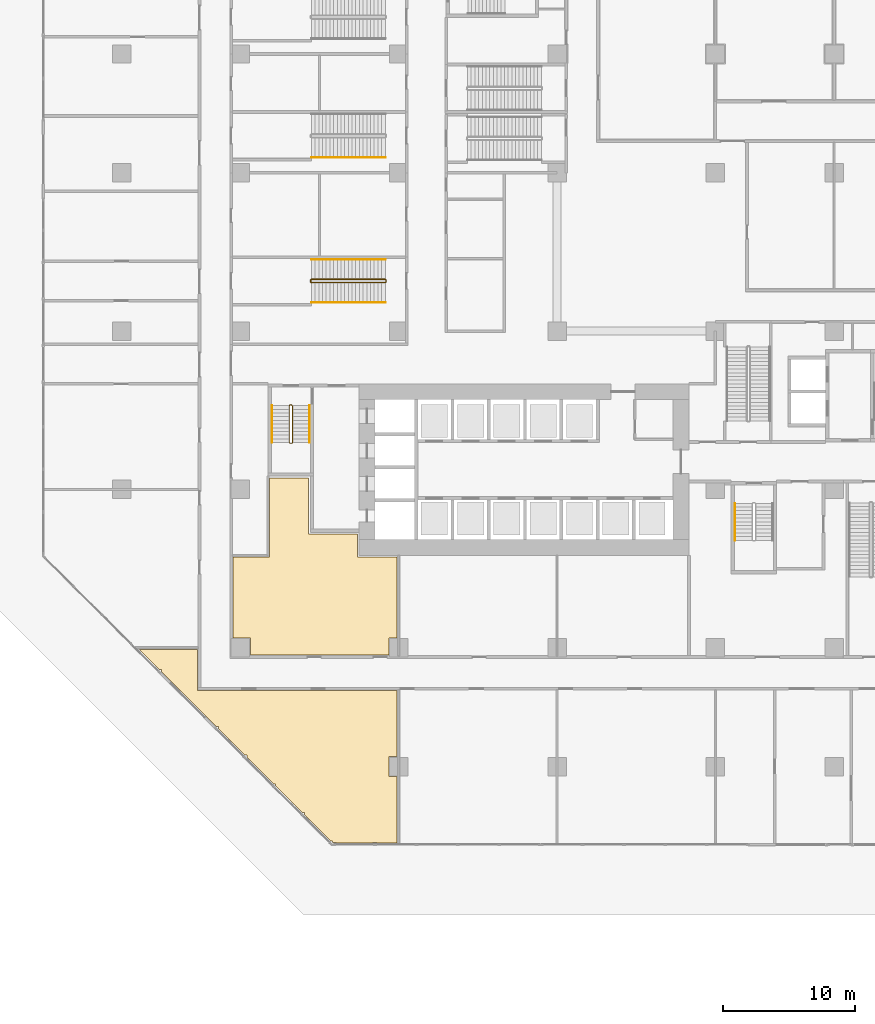
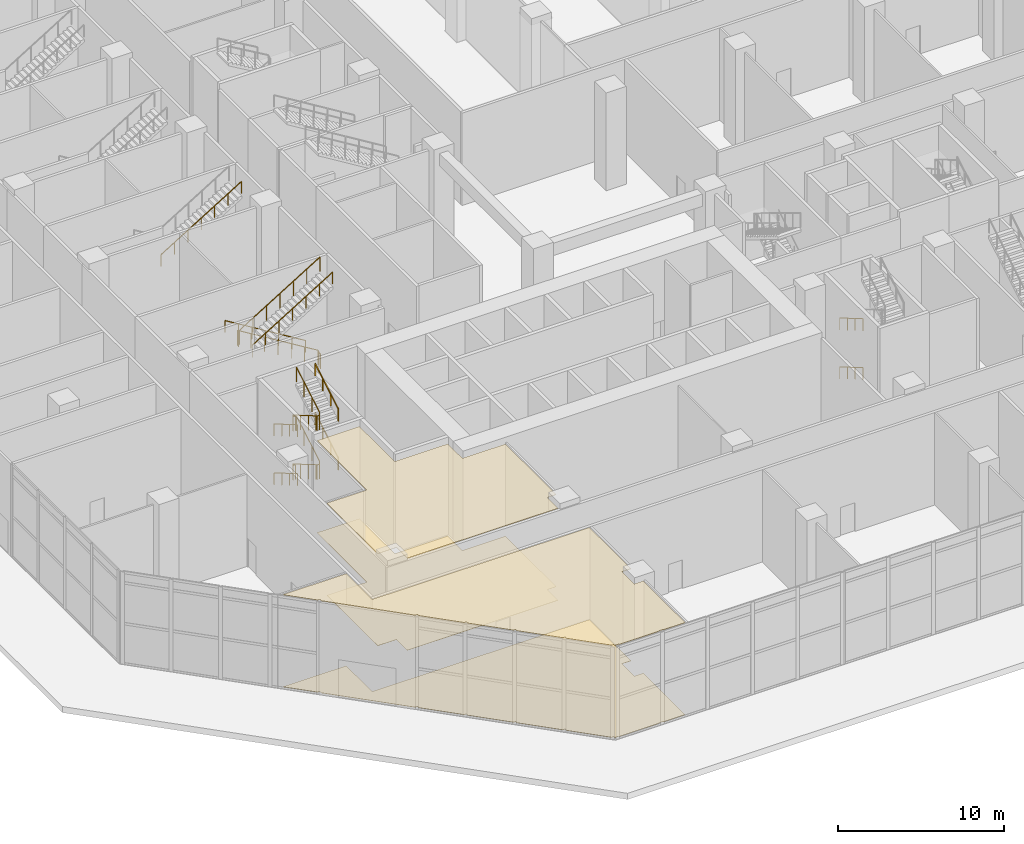
# One storey, part 29 of 34: 11 railings, 4 coverings.
"""IFC4 building model written with IfcOpenShell, lengths in metres."""

from ifc_helpers import new_model, si_unit, direction, frame, origin, origin_2d, place, context, subcontext, project, spatial, polyline, rectangle, outline, extrude, material, layer, layer_set, type_object, element, save


model = new_model("IFC4")

# Units and contexts
model_context = context("Model", 3, precision=1e-05, world=origin(), true_north=direction((0.0, 1.0)))
body_context = subcontext(model_context, "Body", "Model", "MODEL_VIEW")
ifc_project = project(units=[si_unit("LENGTHUNIT", "METRE"), si_unit("AREAUNIT", "SQUARE_METRE"), si_unit("VOLUMEUNIT", "CUBIC_METRE"), si_unit("PLANEANGLEUNIT", "RADIAN"), si_unit("MASSUNIT", "GRAM", prefix="KILO")], contexts=[model_context])

# Site, building, storey
site_placement = place(None, origin())
site = spatial("IfcSite", under=ifc_project, at=site_placement, CompositionType="ELEMENT")
building_placement = place(site_placement, origin())
building = spatial("IfcBuilding", under=site, at=building_placement, Name="Chenar Terraces", CompositionType="ELEMENT")
storey_placement = place(building_placement, origin())
storey = spatial("IfcBuildingStorey", under=building, at=storey_placement, Name="L00", CompositionType="ELEMENT", Elevation=0.0)

# Coverings
ifc_material_1 = material(Name="Mineral fibre acoustic ceiling board")
ifc_layer_1 = layer(ifc_material_1, 0.030029296875)
ifc_layer_set_1 = layer_set([ifc_layer_1], Name="Mineral fibre acoustic ceiling board")
covering_type_1 = type_object("IfcCoveringType", Name="Acoustic board ceiling 30", PredefinedType="CEILING", material=ifc_layer_set_1)
placement_1 = place(storey_placement, frame((0.0, 0.0, 6.77001953125)))
element("IfcCovering", 1, at=placement_1, inside=storey, type_object=covering_type_1, Name="Acoustic ceiling", PredefinedType="CEILING", context=body_context, shape_type="SweptSolid", body=[
    extrude(outline(polyline([(8.875, 6.875), (11.875, 6.875), (11.875, 0.75), (11.25, 0.75), (11.25, -0.550048828125), (0.75, -0.550048828125), (0.75, 0.75), (-0.550048828125, 0.75), (-0.550048828125, 6.875), (2.22509765625, 6.875), (2.22509765625, 12.875), (5.175048828125, 12.875), (5.175048828125, 8.625), (8.875, 8.625), (8.875, 6.875)])), origin(), (0.0, 0.0, 1.0), 0.030029296875),
])
element("IfcCovering", 2, at=placement_1, inside=storey, type_object=covering_type_1, Name="Acoustic ceiling", PredefinedType="CEILING", context=body_context, shape_type="SweptSolid", body=[
    extrude(outline(polyline([(-3.25, -0.125), (-3.25, -3.25), (11.875, -3.25), (11.875, -8.25), (11.25, -8.25), (11.25, -9.75), (11.875, -9.75), (11.875, -14.784912109375), (10.37353515625, -14.784912109375), (10.37353515625, -14.75), (10.0234375, -14.75), (10.0234375, -14.784912109375), (7.273193359375, -14.784912109375), (7.273193359375, -14.75), (7.001708984375, -14.75), (7.001708984375, -14.6376953125), (6.849853515625, -14.6376953125), (4.8505859375, -12.638427734375), (4.8505859375, -12.486328125), (4.698486328125, -12.486328125), (2.671142578125, -10.458984375), (2.671142578125, -10.306884765625), (2.51904296875, -10.306884765625), (0.49169921875, -8.279541015625), (0.49169921875, -8.12744140625), (0.339599609375, -8.12744140625), (-1.659423828125, -6.12841796875), (-1.659423828125, -5.976318359375), (-1.832763671875, -5.976318359375), (-5.976318359375, -1.832763671875), (-5.976318359375, -1.659423828125), (-6.12841796875, -1.659423828125), (-7.662841796875, -0.125), (-3.25, -0.125)])), origin(), (0.0, 0.0, 1.0), 0.030029296875),
])
ifc_material_2 = material(Name="Honed limestone floor finish", Category="masonry")
ifc_layer_2 = layer(ifc_material_2, 0.02001953125)
ifc_layer_set_2 = layer_set([ifc_layer_2], Name="Honed limestone floor finish")
covering_type_2 = type_object("IfcCoveringType", Name="Limestone floor finish 20", PredefinedType="FLOORING", material=ifc_layer_set_2)
placement_2 = place(storey_placement, origin())
element("IfcCovering", 3, at=placement_2, inside=storey, type_object=covering_type_2, Name="Limestone floor finish", PredefinedType="FLOORING", context=body_context, shape_type="SweptSolid", body=[
    extrude(outline(polyline([(8.875, 6.875), (11.875, 6.875), (11.875, 0.75), (11.25, 0.75), (11.25, -0.550048828125), (0.75, -0.550048828125), (0.75, 0.75), (-0.550048828125, 0.75), (-0.550048828125, 6.875), (2.22509765625, 6.875), (2.22509765625, 12.875), (5.175048828125, 12.875), (5.175048828125, 8.625), (8.875, 8.625), (8.875, 6.875)])), origin(), (0.0, 0.0, 1.0), 0.02001953125),
])
element("IfcCovering", 4, at=placement_2, inside=storey, type_object=covering_type_2, Name="Limestone floor finish", PredefinedType="FLOORING", context=body_context, shape_type="SweptSolid", body=[
    extrude(outline(polyline([(-3.25, -0.125), (-3.25, -3.25), (11.875, -3.25), (11.875, -8.25), (11.25, -8.25), (11.25, -9.75), (11.875, -9.75), (11.875, -14.784912109375), (10.37353515625, -14.784912109375), (10.37353515625, -14.75), (10.0234375, -14.75), (10.0234375, -14.784912109375), (7.273193359375, -14.784912109375), (7.273193359375, -14.75), (7.001708984375, -14.75), (7.001708984375, -14.6376953125), (6.849853515625, -14.6376953125), (4.8505859375, -12.638427734375), (4.8505859375, -12.486328125), (4.698486328125, -12.486328125), (2.671142578125, -10.458984375), (2.671142578125, -10.306884765625), (2.51904296875, -10.306884765625), (0.49169921875, -8.279541015625), (0.49169921875, -8.12744140625), (0.339599609375, -8.12744140625), (-1.659423828125, -6.12841796875), (-1.659423828125, -5.976318359375), (-1.832763671875, -5.976318359375), (-5.976318359375, -1.832763671875), (-5.976318359375, -1.659423828125), (-6.12841796875, -1.659423828125), (-7.662841796875, -0.125), (-3.25, -0.125)])), origin(), (0.0, 0.0, 1.0), 0.02001953125),
])

# Railings
ifc_material_3 = material(Name="Powder-coated steel", Category="steel")
railing_type_1 = type_object("IfcRailingType", Name="Stair guard 1100", PredefinedType="GUARDRAIL", material=ifc_material_3)
railing_1_placement = place(storey_placement, frame((3.949951171875, 18.35009765625, 7.199951171875)))
element("IfcRailing", 5, at=railing_1_placement, inside=storey, type_object=railing_type_1, Name="L00 ST1 stair guard 1", PredefinedType="GUARDRAIL", context=body_context, shape_type="SweptSolid", body=[
    extrude(rectangle(XDim=0.048095703125, YDim=0.048095703125, at=origin_2d()), frame((0.0, 0.0, 1.076171875), z_axis=(0.0, -0.863393664356, -0.504530851732), x_axis=(1.0, 0.0, 0.0)), (0.0, 0.0, 1.0), 3.2431640625),
    extrude(rectangle(XDim=0.048095703125, YDim=0.048095703125, at=origin_2d()), frame((0.0, -2.800048828125, -0.56005859375), z_axis=(-0.280456126637, -0.280456126637, -0.917980785237), x_axis=(0.707106781187, -0.707106781187, 0.0)), (0.0, 0.0, 1.0), 0.178466796875),
    extrude(rectangle(XDim=0.048095703125, YDim=0.048095703125, at=origin_2d()), frame((-0.050048828125, -2.85009765625, -0.72412109375), z_axis=(-1.0, 0.0, 0.0), x_axis=(0.0, -1.0, 0.0)), (0.0, 0.0, 1.0), 0.14990234375),
    extrude(rectangle(XDim=0.048095703125, YDim=0.048095703125, at=origin_2d()), frame((-0.199951171875, -2.85009765625, -0.72412109375), z_axis=(-0.707106781187, 0.707106781187, 0.0), x_axis=(-0.707106781187, -0.707106781187, 0.0)), (0.0, 0.0, 1.0), 0.07080078125),
    extrude(rectangle(XDim=0.048095703125, YDim=0.048095703125, at=origin_2d()), frame((-0.25, -2.800048828125, -0.72412109375), z_axis=(0.0, 0.863393664356, -0.504530851732), x_axis=(-1.0, 0.0, 0.0)), (0.0, 0.0, 1.0), 3.2431640625),
    extrude(rectangle(XDim=0.048095703125, YDim=0.048095703125, at=origin_2d()), frame((-0.25, 0.0, -2.3603515625), z_axis=(0.760004195007, 0.189305074214, -0.621737253547), x_axis=(-0.241699205484, 0.970351222016, 0.0)), (0.0, 0.0, 1.0), 0.26318359375),
    extrude(rectangle(XDim=0.048095703125, YDim=0.048095703125, at=origin_2d()), frame((-0.050048828125, 0.0498046875, -2.52392578125), z_axis=(-1.0, 0.0, 0.0), x_axis=(0.0, -1.0, 0.0)), (0.0, 0.0, 1.0), 0.14990234375),
    extrude(rectangle(XDim=0.048095703125, YDim=0.048095703125, at=origin_2d()), frame((-0.199951171875, 0.0498046875, -2.52392578125), z_axis=(0.970351222016, -0.241699205484, 0.0), x_axis=(0.241699205484, 0.970351222016, 0.0)), (0.0, 0.0, 1.0), 0.2060546875),
    extrude(rectangle(XDim=0.048095703125, YDim=0.048095703125, at=origin_2d()), frame((0.0, 0.0, -2.52392578125), z_axis=(0.0, -0.863360870873, -0.504586966384), x_axis=(1.0, 0.0, 0.0)), (0.0, 0.0, 1.0), 3.2431640625),
    extrude(rectangle(XDim=0.048095703125, YDim=0.048095703125, at=origin_2d()), frame((0.0, -2.800048828125, -4.16015625), z_axis=(-0.280808744504, -0.280808744504, -0.917765164963), x_axis=(0.707106781187, -0.707106781187, 0.0)), (0.0, 0.0, 1.0), 0.17822265625),
    extrude(rectangle(XDim=0.048095703125, YDim=0.048095703125, at=origin_2d()), frame((-0.050048828125, -2.85009765625, -4.32373046875), z_axis=(-1.0, 0.0, 0.0), x_axis=(0.0, -1.0, 0.0)), (0.0, 0.0, 1.0), 0.14990234375),
    extrude(rectangle(XDim=0.048095703125, YDim=0.048095703125, at=origin_2d()), frame((-0.199951171875, -2.85009765625, -4.32373046875), z_axis=(-0.707106781187, 0.707106781187, 0.0), x_axis=(-0.707106781187, -0.707106781187, 0.0)), (0.0, 0.0, 1.0), 0.07080078125),
    extrude(rectangle(XDim=0.048095703125, YDim=0.048095703125, at=origin_2d()), frame((-0.25, -2.800048828125, -4.32373046875), z_axis=(0.0, 0.863360870873, -0.504586966384), x_axis=(-1.0, 0.0, 0.0)), (0.0, 0.0, 1.0), 3.2431640625),
    extrude(rectangle(XDim=0.048095703125, YDim=0.048095703125, at=origin_2d()), frame((-0.25, 0.0, -5.96044921875), z_axis=(0.280916556609, 0.279546231943, -0.91811752648), x_axis=(-0.705375805398, 0.708833529934, 0.0)), (0.0, 0.0, 1.0), 0.17822265625),
    extrude(rectangle(XDim=0.048095703125, YDim=0.048095703125, at=origin_2d()), frame((-0.199951171875, 0.0498046875, -6.1240234375), z_axis=(1.0, 0.0, 0.0), x_axis=(0.0, 1.0, 0.0)), (0.0, 0.0, 1.0), 0.14990234375),
    extrude(rectangle(XDim=0.0419921875, YDim=0.0419921875, at=origin_2d()), origin(), (0.0, 0.0, 1.0), 1.052001953125),
    extrude(rectangle(XDim=0.0419921875, YDim=0.0419921875, at=origin_2d()), frame((0.0, -0.933349609375, -0.54541015625)), (0.0, 0.0, 1.0), 1.052001953125),
    extrude(rectangle(XDim=0.0419921875, YDim=0.0419921875, at=origin_2d()), frame((0.0, -1.86669921875, -1.0908203125)), (0.0, 0.0, 1.0), 1.052001953125),
    extrude(rectangle(XDim=0.0419921875, YDim=0.0419921875, at=origin_2d()), frame((0.0, -2.800048828125, -1.63623046875)), (0.0, 0.0, 1.0), 1.052001953125),
    extrude(rectangle(XDim=0.0419921875, YDim=0.0419921875, at=origin_2d()), frame((-0.050048828125, -2.85009765625, -1.800048828125)), (0.0, 0.0, 1.0), 1.052001953125),
    extrude(rectangle(XDim=0.0419921875, YDim=0.0419921875, at=origin_2d()), frame((-0.199951171875, -2.85009765625, -1.800048828125)), (0.0, 0.0, 1.0), 1.052001953125),
    extrude(rectangle(XDim=0.0419921875, YDim=0.0419921875, at=origin_2d()), frame((-0.25, -2.800048828125, -1.800048828125)), (0.0, 0.0, 1.0), 1.052001953125),
    extrude(rectangle(XDim=0.0419921875, YDim=0.0419921875, at=origin_2d()), frame((-0.25, -1.86669921875, -2.345458984375)), (0.0, 0.0, 1.0), 1.052001953125),
    extrude(rectangle(XDim=0.0419921875, YDim=0.0419921875, at=origin_2d()), frame((-0.25, -0.933349609375, -2.890869140625)), (0.0, 0.0, 1.0), 1.052001953125),
    extrude(rectangle(XDim=0.0419921875, YDim=0.0419921875, at=origin_2d()), frame((-0.25, 0.0, -3.436279296875)), (0.0, 0.0, 1.0), 1.052001953125),
    extrude(rectangle(XDim=0.0419921875, YDim=0.0419921875, at=origin_2d()), frame((-0.050048828125, 0.0498046875, -3.599853515625)), (0.0, 0.0, 1.0), 1.052001953125),
    extrude(rectangle(XDim=0.0419921875, YDim=0.0419921875, at=origin_2d()), frame((-0.199951171875, 0.0498046875, -3.599853515625)), (0.0, 0.0, 1.0), 1.052001953125),
    extrude(rectangle(XDim=0.0419921875, YDim=0.0419921875, at=origin_2d()), frame((0.0, 0.0, -3.599853515625)), (0.0, 0.0, 1.0), 1.052001953125),
    extrude(rectangle(XDim=0.0419921875, YDim=0.0419921875, at=origin_2d()), frame((0.0, -0.933349609375, -4.145263671875)), (0.0, 0.0, 1.0), 1.052001953125),
    extrude(rectangle(XDim=0.0419921875, YDim=0.0419921875, at=origin_2d()), frame((0.0, -1.86669921875, -4.69091796875)), (0.0, 0.0, 1.0), 1.052001953125),
    extrude(rectangle(XDim=0.0419921875, YDim=0.0419921875, at=origin_2d()), frame((0.0, -2.800048828125, -5.236328125)), (0.0, 0.0, 1.0), 1.052001953125),
    extrude(rectangle(XDim=0.0419921875, YDim=0.0419921875, at=origin_2d()), frame((-0.050048828125, -2.85009765625, -5.39990234375)), (0.0, 0.0, 1.0), 1.052001953125),
    extrude(rectangle(XDim=0.0419921875, YDim=0.0419921875, at=origin_2d()), frame((-0.199951171875, -2.85009765625, -5.39990234375)), (0.0, 0.0, 1.0), 1.052001953125),
    extrude(rectangle(XDim=0.0419921875, YDim=0.0419921875, at=origin_2d()), frame((-0.25, -2.800048828125, -5.39990234375)), (0.0, 0.0, 1.0), 1.052001953125),
    extrude(rectangle(XDim=0.0419921875, YDim=0.0419921875, at=origin_2d()), frame((-0.25, -1.86669921875, -5.9453125)), (0.0, 0.0, 1.0), 1.052001953125),
    extrude(rectangle(XDim=0.0419921875, YDim=0.0419921875, at=origin_2d()), frame((-0.25, -0.933349609375, -6.490966796875)), (0.0, 0.0, 1.0), 1.052001953125),
    extrude(rectangle(XDim=0.0419921875, YDim=0.0419921875, at=origin_2d()), frame((-0.25, 0.0, -7.036376953125)), (0.0, 0.0, 1.0), 1.052001953125),
    extrude(rectangle(XDim=0.0419921875, YDim=0.0419921875, at=origin_2d()), frame((-0.199951171875, 0.0498046875, -7.199951171875)), (0.0, 0.0, 1.0), 1.052001953125),
    extrude(rectangle(XDim=0.0419921875, YDim=0.0419921875, at=origin_2d()), frame((-0.050048828125, 0.0498046875, -7.199951171875)), (0.0, 0.0, 1.0), 1.052001953125),
])
railing_2_placement = place(storey_placement, frame((10.985107421875, 27.675048828125, 7.199951171875)))
element("IfcRailing", 6, at=railing_2_placement, inside=storey, type_object=railing_type_1, Name="L00 PS5 stair guard 1", PredefinedType="GUARDRAIL", context=body_context, shape_type="SweptSolid", body=[
    extrude(rectangle(XDim=0.048095703125, YDim=0.048095703125, at=origin_2d()), frame((0.0, 0.0, 1.076171875), z_axis=(-0.852862454864, 0.0, -0.522135646249), x_axis=(0.0, -1.0, 0.0)), (0.0, 0.0, 1.0), 6.566162109375),
    extrude(rectangle(XDim=0.048095703125, YDim=0.048095703125, at=origin_2d()), frame((-5.60009765625, 0.0, -2.3525390625), z_axis=(-0.269911200495, 0.269911200495, -0.924281281696), x_axis=(-0.707106781187, -0.707106781187, 0.0)), (0.0, 0.0, 1.0), 0.185546875),
    extrude(rectangle(XDim=0.048095703125, YDim=0.048095703125, at=origin_2d()), frame((-5.650146484375, 0.050048828125, -2.52392578125), z_axis=(0.0, 1.0, 0.0), x_axis=(-1.0, 0.0, 0.0)), (0.0, 0.0, 1.0), 0.14990234375),
    extrude(rectangle(XDim=0.048095703125, YDim=0.048095703125, at=origin_2d()), frame((-5.650146484375, 0.199951171875, -2.52392578125), z_axis=(0.707106781187, 0.707106781187, 0.0), x_axis=(-0.707106781187, 0.707106781187, 0.0)), (0.0, 0.0, 1.0), 0.07080078125),
    extrude(rectangle(XDim=0.048095703125, YDim=0.048095703125, at=origin_2d()), frame((-5.60009765625, 0.25, -2.52392578125), z_axis=(0.852845897599, 0.0, -0.522162690116), x_axis=(0.0, 1.0, 0.0)), (0.0, 0.0, 1.0), 6.56640625),
    extrude(rectangle(XDim=0.048095703125, YDim=0.048095703125, at=origin_2d()), frame((0.0, 0.25, -5.95263671875), z_axis=(0.268689830376, -0.270006937388, -0.924609122178), x_axis=(0.708833529934, 0.705375805398, 0.0)), (0.0, 0.0, 1.0), 0.185302734375),
    extrude(rectangle(XDim=0.048095703125, YDim=0.048095703125, at=origin_2d()), frame((0.0498046875, 0.199951171875, -6.1240234375), z_axis=(0.0, -1.0, 0.0), x_axis=(1.0, 0.0, 0.0)), (0.0, 0.0, 1.0), 0.14990234375),
    extrude(rectangle(XDim=0.0419921875, YDim=0.0419921875, at=origin_2d()), origin(), (0.0, 0.0, 1.0), 1.052001953125),
    extrude(rectangle(XDim=0.0419921875, YDim=0.0419921875, at=origin_2d()), frame((-0.933349609375, 0.0, -0.5712890625)), (0.0, 0.0, 1.0), 1.052001953125),
    extrude(rectangle(XDim=0.0419921875, YDim=0.0419921875, at=origin_2d()), frame((-1.86669921875, 0.0, -1.142822265625)), (0.0, 0.0, 1.0), 1.052001953125),
    extrude(rectangle(XDim=0.0419921875, YDim=0.0419921875, at=origin_2d()), frame((-2.800048828125, 0.0, -1.71435546875)), (0.0, 0.0, 1.0), 1.052001953125),
    extrude(rectangle(XDim=0.0419921875, YDim=0.0419921875, at=origin_2d()), frame((-3.7333984375, 0.0, -2.28564453125)), (0.0, 0.0, 1.0), 1.052001953125),
    extrude(rectangle(XDim=0.0419921875, YDim=0.0419921875, at=origin_2d()), frame((-4.666748046875, 0.0, -2.85693359375)), (0.0, 0.0, 1.0), 1.052001953125),
    extrude(rectangle(XDim=0.0419921875, YDim=0.0419921875, at=origin_2d()), frame((-5.60009765625, 0.0, -3.428466796875)), (0.0, 0.0, 1.0), 1.052001953125),
    extrude(rectangle(XDim=0.0419921875, YDim=0.0419921875, at=origin_2d()), frame((-5.650146484375, 0.050048828125, -3.599853515625)), (0.0, 0.0, 1.0), 1.052001953125),
    extrude(rectangle(XDim=0.0419921875, YDim=0.0419921875, at=origin_2d()), frame((-5.650146484375, 0.199951171875, -3.599853515625)), (0.0, 0.0, 1.0), 1.052001953125),
    extrude(rectangle(XDim=0.0419921875, YDim=0.0419921875, at=origin_2d()), frame((-5.60009765625, 0.25, -3.599853515625)), (0.0, 0.0, 1.0), 1.052001953125),
    extrude(rectangle(XDim=0.0419921875, YDim=0.0419921875, at=origin_2d()), frame((-4.666748046875, 0.25, -4.17138671875)), (0.0, 0.0, 1.0), 1.052001953125),
    extrude(rectangle(XDim=0.0419921875, YDim=0.0419921875, at=origin_2d()), frame((-3.7333984375, 0.25, -4.74267578125)), (0.0, 0.0, 1.0), 1.052001953125),
    extrude(rectangle(XDim=0.0419921875, YDim=0.0419921875, at=origin_2d()), frame((-2.800048828125, 0.25, -5.314208984375)), (0.0, 0.0, 1.0), 1.052001953125),
    extrude(rectangle(XDim=0.0419921875, YDim=0.0419921875, at=origin_2d()), frame((-1.86669921875, 0.25, -5.8857421875)), (0.0, 0.0, 1.0), 1.052001953125),
    extrude(rectangle(XDim=0.0419921875, YDim=0.0419921875, at=origin_2d()), frame((-0.933349609375, 0.25, -6.45703125)), (0.0, 0.0, 1.0), 1.052001953125),
    extrude(rectangle(XDim=0.0419921875, YDim=0.0419921875, at=origin_2d()), frame((0.0, 0.25, -7.028564453125)), (0.0, 0.0, 1.0), 1.052001953125),
    extrude(rectangle(XDim=0.0419921875, YDim=0.0419921875, at=origin_2d()), frame((0.0498046875, 0.199951171875, -7.199951171875)), (0.0, 0.0, 1.0), 1.052001953125),
    extrude(rectangle(XDim=0.0419921875, YDim=0.0419921875, at=origin_2d()), frame((0.0498046875, 0.050048828125, -7.199951171875)), (0.0, 0.0, 1.0), 1.052001953125),
])
ifc_material_4 = material(Name="Powder-coated steel", Category="steel")
railing_type_2 = type_object("IfcRailingType", Name="Stair handrail 900", PredefinedType="HANDRAIL", material=ifc_material_4)
railing_3_placement = place(storey_placement, frame((2.39990234375, 18.35009765625, 0.16357421875)))
element("IfcRailing", 7, at=railing_3_placement, inside=storey, type_object=railing_type_2, Name="L00 ST1 stair handrail 1", PredefinedType="HANDRAIL", context=body_context, shape_type="SweptSolid", body=[
    extrude(rectangle(XDim=0.048095703125, YDim=0.048095703125, at=origin_2d()), frame((0.0, 0.0, 0.8759765625), z_axis=(0.0, -0.863360870873, 0.504586966384), x_axis=(1.0, 0.0, 0.0)), (0.0, 0.0, 1.0), 3.2431640625),
    extrude(rectangle(XDim=0.0419921875, YDim=0.0419921875, at=origin_2d()), origin(), (0.0, 0.0, 1.0), 0.851806640625),
    extrude(rectangle(XDim=0.0419921875, YDim=0.0419921875, at=origin_2d()), frame((0.0, -0.933349609375, 0.54541015625)), (0.0, 0.0, 1.0), 0.851806640625),
    extrude(rectangle(XDim=0.0419921875, YDim=0.0419921875, at=origin_2d()), frame((0.0, -1.86669921875, 1.091064453125)), (0.0, 0.0, 1.0), 0.851806640625),
    extrude(rectangle(XDim=0.0419921875, YDim=0.0419921875, at=origin_2d()), frame((0.0, -2.800048828125, 1.636474609375)), (0.0, 0.0, 1.0), 0.851806640625),
])
railing_4_placement = place(storey_placement, frame((5.25, 15.550048828125, 1.963623046875)))
element("IfcRailing", 8, at=railing_4_placement, inside=storey, type_object=railing_type_2, Name="L00 ST1 stair handrail 2", PredefinedType="HANDRAIL", context=body_context, shape_type="SweptSolid", body=[
    extrude(rectangle(XDim=0.048095703125, YDim=0.048095703125, at=origin_2d()), frame((0.0, 0.0, 0.8759765625), z_axis=(0.0, 0.863360870873, 0.504586966384), x_axis=(-1.0, 0.0, 0.0)), (0.0, 0.0, 1.0), 3.2431640625),
    extrude(rectangle(XDim=0.0419921875, YDim=0.0419921875, at=origin_2d()), origin(), (0.0, 0.0, 1.0), 0.851806640625),
    extrude(rectangle(XDim=0.0419921875, YDim=0.0419921875, at=origin_2d()), frame((0.0, 0.933349609375, 0.54541015625)), (0.0, 0.0, 1.0), 0.851806640625),
    extrude(rectangle(XDim=0.0419921875, YDim=0.0419921875, at=origin_2d()), frame((0.0, 1.86669921875, 1.091064453125)), (0.0, 0.0, 1.0), 0.851806640625),
    extrude(rectangle(XDim=0.0419921875, YDim=0.0419921875, at=origin_2d()), frame((0.0, 2.800048828125, 1.636474609375)), (0.0, 0.0, 1.0), 0.851806640625),
])
railing_5_placement = place(storey_placement, frame((2.39990234375, 18.35009765625, 3.763671875)))
element("IfcRailing", 9, at=railing_5_placement, inside=storey, type_object=railing_type_2, Name="L00 ST1 stair handrail 3", PredefinedType="HANDRAIL", context=body_context, shape_type="SweptSolid", body=[
    extrude(rectangle(XDim=0.048095703125, YDim=0.048095703125, at=origin_2d()), frame((0.0, 0.0, 0.8759765625), z_axis=(0.0, -0.863393664356, 0.504530851732), x_axis=(1.0, 0.0, 0.0)), (0.0, 0.0, 1.0), 3.2431640625),
    extrude(rectangle(XDim=0.0419921875, YDim=0.0419921875, at=origin_2d()), origin(), (0.0, 0.0, 1.0), 0.851806640625),
    extrude(rectangle(XDim=0.0419921875, YDim=0.0419921875, at=origin_2d()), frame((0.0, -0.933349609375, 0.54541015625)), (0.0, 0.0, 1.0), 0.851806640625),
    extrude(rectangle(XDim=0.0419921875, YDim=0.0419921875, at=origin_2d()), frame((0.0, -1.86669921875, 1.0908203125)), (0.0, 0.0, 1.0), 0.851806640625),
    extrude(rectangle(XDim=0.0419921875, YDim=0.0419921875, at=origin_2d()), frame((0.0, -2.800048828125, 1.63623046875)), (0.0, 0.0, 1.0), 0.851806640625),
])
railing_6_placement = place(storey_placement, frame((5.25, 15.550048828125, 5.563720703125)))
element("IfcRailing", 10, at=railing_6_placement, inside=storey, type_object=railing_type_2, Name="L00 ST1 stair handrail 4", PredefinedType="HANDRAIL", context=body_context, shape_type="SweptSolid", body=[
    extrude(rectangle(XDim=0.048095703125, YDim=0.048095703125, at=origin_2d()), frame((0.0, 0.0, 0.8759765625), z_axis=(0.0, 0.863393664356, 0.504530851732), x_axis=(-1.0, 0.0, 0.0)), (0.0, 0.0, 1.0), 3.2431640625),
    extrude(rectangle(XDim=0.0419921875, YDim=0.0419921875, at=origin_2d()), origin(), (0.0, 0.0, 1.0), 0.851806640625),
    extrude(rectangle(XDim=0.0419921875, YDim=0.0419921875, at=origin_2d()), frame((0.0, 0.933349609375, 0.54541015625)), (0.0, 0.0, 1.0), 0.851806640625),
    extrude(rectangle(XDim=0.0419921875, YDim=0.0419921875, at=origin_2d()), frame((0.0, 1.86669921875, 1.0908203125)), (0.0, 0.0, 1.0), 0.851806640625),
    extrude(rectangle(XDim=0.0419921875, YDim=0.0419921875, at=origin_2d()), frame((0.0, 2.800048828125, 1.63623046875)), (0.0, 0.0, 1.0), 0.851806640625),
])
railing_7_placement = place(storey_placement, frame((37.5, 10.949951171875, 0.16357421875)))
element("IfcRailing", 11, at=railing_7_placement, inside=storey, type_object=railing_type_2, Name="L00 ST2 stair handrail 1", PredefinedType="HANDRAIL", context=body_context, shape_type="SweptSolid", body=[
    extrude(rectangle(XDim=0.048095703125, YDim=0.048095703125, at=origin_2d()), frame((0.0, 0.0, 0.8759765625), z_axis=(0.0, -0.863360870873, 0.504586966384), x_axis=(1.0, 0.0, 0.0)), (0.0, 0.0, 1.0), 3.2431640625),
    extrude(rectangle(XDim=0.0419921875, YDim=0.0419921875, at=origin_2d()), origin(), (0.0, 0.0, 1.0), 0.851806640625),
    extrude(rectangle(XDim=0.0419921875, YDim=0.0419921875, at=origin_2d()), frame((0.0, -0.933349609375, 0.54541015625)), (0.0, 0.0, 1.0), 0.851806640625),
    extrude(rectangle(XDim=0.0419921875, YDim=0.0419921875, at=origin_2d()), frame((0.0, -1.86669921875, 1.091064453125)), (0.0, 0.0, 1.0), 0.851806640625),
    extrude(rectangle(XDim=0.0419921875, YDim=0.0419921875, at=origin_2d()), frame((0.0, -2.800048828125, 1.636474609375)), (0.0, 0.0, 1.0), 0.851806640625),
])
railing_8_placement = place(storey_placement, frame((37.5, 10.949951171875, 3.763671875)))
element("IfcRailing", 12, at=railing_8_placement, inside=storey, type_object=railing_type_2, Name="L00 ST2 stair handrail 3", PredefinedType="HANDRAIL", context=body_context, shape_type="SweptSolid", body=[
    extrude(rectangle(XDim=0.048095703125, YDim=0.048095703125, at=origin_2d()), frame((0.0, 0.0, 0.8759765625), z_axis=(0.0, -0.863393664356, 0.504530851732), x_axis=(1.0, 0.0, 0.0)), (0.0, 0.0, 1.0), 3.2431640625),
    extrude(rectangle(XDim=0.0419921875, YDim=0.0419921875, at=origin_2d()), origin(), (0.0, 0.0, 1.0), 0.851806640625),
    extrude(rectangle(XDim=0.0419921875, YDim=0.0419921875, at=origin_2d()), frame((0.0, -0.933349609375, 0.54541015625)), (0.0, 0.0, 1.0), 0.851806640625),
    extrude(rectangle(XDim=0.0419921875, YDim=0.0419921875, at=origin_2d()), frame((0.0, -1.86669921875, 1.0908203125)), (0.0, 0.0, 1.0), 0.851806640625),
    extrude(rectangle(XDim=0.0419921875, YDim=0.0419921875, at=origin_2d()), frame((0.0, -2.800048828125, 1.63623046875)), (0.0, 0.0, 1.0), 0.851806640625),
])
railing_9_placement = place(storey_placement, frame((10.985107421875, 29.43994140625, 0.17138671875)))
element("IfcRailing", 13, at=railing_9_placement, inside=storey, type_object=railing_type_2, Name="L00 PS5 stair handrail 1", PredefinedType="HANDRAIL", context=body_context, shape_type="SweptSolid", body=[
    extrude(rectangle(XDim=0.048095703125, YDim=0.048095703125, at=origin_2d()), frame((0.0, 0.0, 0.8759765625), z_axis=(-0.852845897599, 0.0, 0.522162690116), x_axis=(0.0, -1.0, 0.0)), (0.0, 0.0, 1.0), 6.56640625),
    extrude(rectangle(XDim=0.0419921875, YDim=0.0419921875, at=origin_2d()), origin(), (0.0, 0.0, 1.0), 0.851806640625),
    extrude(rectangle(XDim=0.0419921875, YDim=0.0419921875, at=origin_2d()), frame((-0.933349609375, 0.0, 0.571533203125)), (0.0, 0.0, 1.0), 0.851806640625),
    extrude(rectangle(XDim=0.0419921875, YDim=0.0419921875, at=origin_2d()), frame((-1.86669921875, 0.0, 1.142822265625)), (0.0, 0.0, 1.0), 0.851806640625),
    extrude(rectangle(XDim=0.0419921875, YDim=0.0419921875, at=origin_2d()), frame((-2.800048828125, 0.0, 1.71435546875)), (0.0, 0.0, 1.0), 0.851806640625),
    extrude(rectangle(XDim=0.0419921875, YDim=0.0419921875, at=origin_2d()), frame((-3.7333984375, 0.0, 2.285888671875)), (0.0, 0.0, 1.0), 0.851806640625),
    extrude(rectangle(XDim=0.0419921875, YDim=0.0419921875, at=origin_2d()), frame((-4.666748046875, 0.0, 2.857177734375)), (0.0, 0.0, 1.0), 0.851806640625),
    extrude(rectangle(XDim=0.0419921875, YDim=0.0419921875, at=origin_2d()), frame((-5.60009765625, 0.0, 3.4287109375)), (0.0, 0.0, 1.0), 0.851806640625),
])
for number, where, name in (
    (14, (5.385009765625, 26.159912109375, 3.771484375), "L00 PS5 stair handrail 2"),
    (15, (5.385009765625, 37.159912109375, 3.771484375), "L00 PS9 stair handrail 2"),
):
    element("IfcRailing", number, at=place(storey_placement, frame(where)), inside=storey, type_object=railing_type_2, Name=name, PredefinedType="HANDRAIL", context=body_context, shape_type="SweptSolid", body=[
        extrude(rectangle(XDim=0.048095703125, YDim=0.048095703125, at=origin_2d()), frame((0.0, 0.0, 0.8759765625), z_axis=(0.852862454864, 0.0, 0.522135646249), x_axis=(0.0, 1.0, 0.0)), (0.0, 0.0, 1.0), 6.566162109375),
        extrude(rectangle(XDim=0.0419921875, YDim=0.0419921875, at=origin_2d()), origin(), (0.0, 0.0, 1.0), 0.851806640625),
        extrude(rectangle(XDim=0.0419921875, YDim=0.0419921875, at=origin_2d()), frame((0.933349609375, 0.0, 0.5712890625)), (0.0, 0.0, 1.0), 0.851806640625),
        extrude(rectangle(XDim=0.0419921875, YDim=0.0419921875, at=origin_2d()), frame((1.86669921875, 0.0, 1.142822265625)), (0.0, 0.0, 1.0), 0.851806640625),
        extrude(rectangle(XDim=0.0419921875, YDim=0.0419921875, at=origin_2d()), frame((2.800048828125, 0.0, 1.71435546875)), (0.0, 0.0, 1.0), 0.851806640625),
        extrude(rectangle(XDim=0.0419921875, YDim=0.0419921875, at=origin_2d()), frame((3.7333984375, 0.0, 2.28564453125)), (0.0, 0.0, 1.0), 0.851806640625),
        extrude(rectangle(XDim=0.0419921875, YDim=0.0419921875, at=origin_2d()), frame((4.666748046875, 0.0, 2.85693359375)), (0.0, 0.0, 1.0), 0.851806640625),
        extrude(rectangle(XDim=0.0419921875, YDim=0.0419921875, at=origin_2d()), frame((5.60009765625, 0.0, 3.428466796875)), (0.0, 0.0, 1.0), 0.851806640625),
    ])

save(model, "model.ifc")
